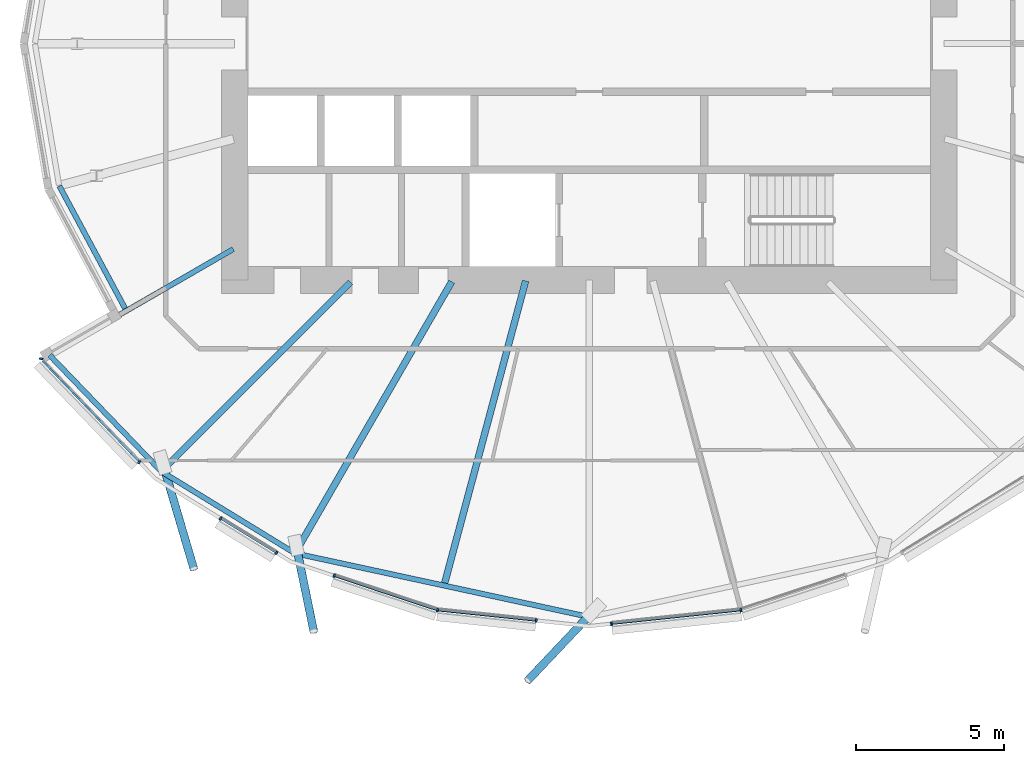
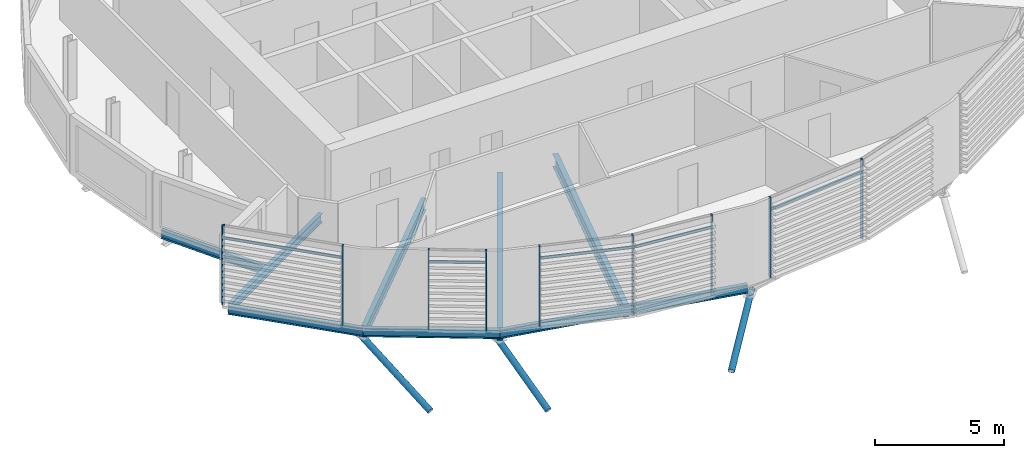
# One storey, part 3 of 36: 17 members, 8 beams, 1 element without a shape of its own.
"""IFC4 building model written with IfcOpenShell, lengths in metres."""

from ifc_helpers import new_model, si_unit, direction, frame, origin, origin_2d, place, context, subcontext, project, spatial, rectangle, hollow_circle, i_section, extrude, clip, halfspace, material, material_profile, profile_set, type_object, element, aggregate, save


model = new_model("IFC4")

# Units and contexts
model_context = context("Model", 3, precision=1e-05, world=origin(), true_north=direction((0.0, 1.0)))
body_context = subcontext(model_context, "Body", "Model", "MODEL_VIEW")
ifc_project = project(units=[si_unit("LENGTHUNIT", "METRE"), si_unit("AREAUNIT", "SQUARE_METRE"), si_unit("VOLUMEUNIT", "CUBIC_METRE"), si_unit("PLANEANGLEUNIT", "RADIAN"), si_unit("MASSUNIT", "GRAM", prefix="KILO")], contexts=[model_context])

# Site, building, storey
site_placement = place(None, origin())
site = spatial("IfcSite", under=ifc_project, at=site_placement, CompositionType="ELEMENT")
building_placement = place(site_placement, origin())
building = spatial("IfcBuilding", under=site, at=building_placement, Name="Rimbun Link Towers", CompositionType="ELEMENT")
storey_placement = place(building_placement, frame((0.0, 0.0, 37.60009765625)))
storey = spatial("IfcBuildingStorey", under=building, at=storey_placement, Name="L08", CompositionType="ELEMENT", Elevation=37.60009765625)

# Curtain wall, members
ifc_material_1 = material(Name="Aluminium 6063-T6 and low-iron glass", Category="aluminium")
curtain_wall_type = type_object("IfcCurtainWallType", Name="CW1 unitised vision wall", PredefinedType="NOTDEFINED", material=ifc_material_1)
curtain_wall_placement = place(storey_placement, origin())
curtain_wall = element("IfcCurtainWall", 1, at=curtain_wall_placement, inside=storey, type_object=curtain_wall_type, Name="CW1 L08 T1", PredefinedType="NOTDEFINED")
ifc_material_2 = material(Name="Aluminium 6063-T6", Category="aluminium")
ifc_material_profile_1 = material_profile(ifc_material_2, rectangle(XDim=0.1201171875, YDim=0.06005859375, at=origin_2d()), Name="MULLION 60X120")
ifc_profile_set_1 = profile_set([ifc_material_profile_1], Name="Aluminium 6063-T6")
member_type_1 = type_object("IfcMemberType", Name="CW1 mullion 60X120", PredefinedType="MULLION", material=ifc_profile_set_1)
member_1_placement = place(storey_placement, frame((-46.97314453125, -14.160888671875, 0.0), z_axis=(0.0, 0.0, 1.0), x_axis=(-0.721844292424, -0.692055501744, 0.0)))
member_1 = element("IfcMember", 2, at=member_1_placement, type_object=member_type_1, Name="CW1 mullion", PredefinedType="MULLION", context=body_context, shape_type="SweptSolid", body=[
    extrude(rectangle(XDim=0.1201171875, YDim=0.06005859375, at=origin_2d()), origin(), (0.0, 0.0, 1.0), 3.7998046875),
])
member_2_placement = place(storey_placement, frame((-50.294189453125, -10.663818359375, 0.0), z_axis=(0.0, 0.0, 1.0), x_axis=(-0.990014819321, 0.140963319788, 0.0)))
member_2 = element("IfcMember", 3, at=member_2_placement, type_object=member_type_1, Name="CW1 mullion", PredefinedType="MULLION", context=body_context, shape_type="SweptSolid", body=[
    extrude(rectangle(XDim=0.1201171875, YDim=0.06005859375, at=origin_2d()), origin(), (0.0, 0.0, 1.0), 3.7998046875),
])
member_3_placement = place(storey_placement, frame((-42.336181640625, -17.23291015625, 0.0), z_axis=(0.0, 0.0, 1.0), x_axis=(-0.523232417417, -0.85219002421, 0.0)))
member_3 = element("IfcMember", 4, at=member_3_placement, type_object=member_type_1, Name="CW1 mullion", PredefinedType="MULLION", context=body_context, shape_type="SweptSolid", body=[
    extrude(rectangle(XDim=0.1201171875, YDim=0.06005859375, at=origin_2d()), origin(), (0.0, 0.0, 1.0), 3.7998046875),
])
member_4_placement = place(storey_placement, frame((-44.2265625, -16.072265625, 0.0), z_axis=(0.0, 0.0, 1.0), x_axis=(-0.523232417417, -0.85219002421, 0.0)))
member_4 = element("IfcMember", 5, at=member_4_placement, type_object=member_type_1, Name="CW1 mullion", PredefinedType="MULLION", context=body_context, shape_type="SweptSolid", body=[
    extrude(rectangle(XDim=0.1201171875, YDim=0.06005859375, at=origin_2d()), origin(), (0.0, 0.0, 1.0), 3.7998046875),
])
member_5_placement = place(storey_placement, frame((-36.884521484375, -19.17333984375, 0.0), z_axis=(0.0, 0.0, 1.0), x_axis=(-0.210876994137, -0.97751260521, 0.0)))
member_5 = element("IfcMember", 6, at=member_5_placement, type_object=member_type_1, Name="CW1 mullion", PredefinedType="MULLION", context=body_context, shape_type="SweptSolid", body=[
    extrude(rectangle(XDim=0.1201171875, YDim=0.06005859375, at=origin_2d()), origin(), (0.0, 0.0, 1.0), 3.7998046875),
])
member_6_placement = place(storey_placement, frame((-40.383544921875, -18.01416015625, 0.0), z_axis=(0.0, 0.0, 1.0), x_axis=(-0.314563730837, -0.949236355837, 0.0)))
member_6 = element("IfcMember", 7, at=member_6_placement, type_object=member_type_1, Name="CW1 mullion", PredefinedType="MULLION", context=body_context, shape_type="SweptSolid", body=[
    extrude(rectangle(XDim=0.1201171875, YDim=0.06005859375, at=origin_2d()), origin(), (0.0, 0.0, 1.0), 3.7998046875),
])
member_7_placement = place(storey_placement, frame((-33.54638671875, -19.525390625, 0.0), z_axis=(0.0, 0.0, 1.0), x_axis=(-0.104754525743, -0.994498109267, 0.0)))
member_7 = element("IfcMember", 8, at=member_7_placement, type_object=member_type_1, Name="CW1 mullion", PredefinedType="MULLION", context=body_context, shape_type="SweptSolid", body=[
    extrude(rectangle(XDim=0.1201171875, YDim=0.06005859375, at=origin_2d()), origin(), (0.0, 0.0, 1.0), 3.7998046875),
])
member_8_placement = place(storey_placement, frame((-26.615478515625, -19.17333984375, 0.0), z_axis=(0.0, 0.0, 1.0), x_axis=(0.210876994137, -0.97751260521, 0.0)))
member_8 = element("IfcMember", 9, at=member_8_placement, type_object=member_type_1, Name="CW1 mullion", PredefinedType="MULLION", context=body_context, shape_type="SweptSolid", body=[
    extrude(rectangle(XDim=0.1201171875, YDim=0.06005859375, at=origin_2d()), origin(), (0.0, 0.0, 1.0), 3.7998046875),
])
member_9_placement = place(storey_placement, frame((-30.997802734375, -19.63525390625, 0.0), z_axis=(0.0, 0.0, 1.0), x_axis=(0.104754525743, -0.994498109267, 0.0)))
member_9 = element("IfcMember", 10, at=member_9_placement, type_object=member_type_1, Name="CW1 mullion", PredefinedType="MULLION", context=body_context, shape_type="SweptSolid", body=[
    extrude(rectangle(XDim=0.1201171875, YDim=0.06005859375, at=origin_2d()), origin(), (0.0, 0.0, 1.0), 3.7998046875),
])
ifc_material_3 = material(Name="Aluminium 6063-T6", Category="aluminium")
ifc_material_profile_2 = material_profile(ifc_material_3, rectangle(XDim=0.06005859375, YDim=0.1201171875, at=origin_2d()), Name="TRANSOM 60X120")
ifc_profile_set_2 = profile_set([ifc_material_profile_2], Name="Aluminium 6063-T6")
member_type_2 = type_object("IfcMemberType", Name="CW1 transom 60X120", PredefinedType="USERDEFINED", material=ifc_profile_set_2)
member_10_placement = place(storey_placement, frame((-46.992431640625, -14.137939453125, 3.199951171875), z_axis=(-0.692039162609, 0.721859956928, 0.0), x_axis=(-0.721859956928, -0.692039162609, 0.0)))
member_10 = element("IfcMember", 11, at=member_10_placement, type_object=member_type_2, Name="CW1 transom", ObjectType="TRANSOM", PredefinedType="USERDEFINED", context=body_context, shape_type="SweptSolid", body=[
    extrude(rectangle(XDim=0.06005859375, YDim=0.1201171875, at=origin_2d()), origin(), (0.0, 0.0, 1.0), 4.715576171875),
])
member_11_placement = place(storey_placement, frame((-42.360595703125, -17.215576171875, 3.199951171875), z_axis=(-0.852228740187, 0.523169355371, 0.0), x_axis=(-0.523169355371, -0.852228740187, 0.0)))
member_11 = element("IfcMember", 12, at=member_11_placement, type_object=member_type_2, Name="CW1 transom", ObjectType="TRANSOM", PredefinedType="USERDEFINED", context=body_context, shape_type="SweptSolid", body=[
    extrude(rectangle(XDim=0.06005859375, YDim=0.1201171875, at=origin_2d()), origin(), (0.0, 0.0, 1.0), 2.158203125),
])
member_12_placement = place(storey_placement, frame((-36.91845703125, -19.160400390625, 3.199951171875), z_axis=(-0.949234904312, 0.314568110964, 0.0), x_axis=(-0.314568110964, -0.949234904312, 0.0)))
member_12 = element("IfcMember", 13, at=member_12_placement, type_object=member_type_2, Name="CW1 transom", ObjectType="TRANSOM", PredefinedType="USERDEFINED", context=body_context, shape_type="SweptSolid", body=[
    extrude(rectangle(XDim=0.06005859375, YDim=0.1201171875, at=origin_2d()), origin(), (0.0, 0.0, 1.0), 3.619873046875),
])
member_13_placement = place(storey_placement, frame((-33.575927734375, -19.520263671875, 3.199951171875), z_axis=(-0.994496504688, 0.104769757862, 0.0), x_axis=(-0.104769757862, -0.994496504688, 0.0)))
member_13 = element("IfcMember", 14, at=member_13_placement, type_object=member_type_2, Name="CW1 transom", ObjectType="TRANSOM", PredefinedType="USERDEFINED", context=body_context, shape_type="SweptSolid", body=[
    extrude(rectangle(XDim=0.06005859375, YDim=0.1201171875, at=origin_2d()), origin(), (0.0, 0.0, 1.0), 3.290283203125),
])
member_14_placement = place(storey_placement, frame((-26.65185546875, -19.175537109375, 3.199951171875), z_axis=(-0.99449990358, -0.104737489845, 0.0), x_axis=(0.104737489845, -0.99449990358, 0.0)))
member_14 = element("IfcMember", 15, at=member_14_placement, type_object=member_type_2, Name="CW1 transom", ObjectType="TRANSOM", PredefinedType="USERDEFINED", context=body_context, shape_type="SweptSolid", body=[
    extrude(rectangle(XDim=0.06005859375, YDim=0.1201171875, at=origin_2d()), origin(), (0.0, 0.0, 1.0), 4.34033203125),
])
aggregate(curtain_wall, [member_1, member_2, member_3, member_4, member_5, member_6, member_7, member_8, member_9, member_10, member_11, member_12, member_13, member_14])

# Members
ifc_material_4 = material(Name="Steel S355J2H", Category="steel")
ifc_material_profile_3 = material_profile(ifc_material_4, hollow_circle(Radius=0.136474609375, WallThickness=0.012451171875, at=origin_2d()), Name="CHS 273x12.5")
ifc_profile_set_3 = profile_set([ifc_material_profile_3], Name="Steel S355J2H")
member_type_3 = type_object("IfcMemberType", Name="Floor edge link CHS 273x12.5", PredefinedType="BRACE", material=ifc_profile_set_3)
member_15_placement = place(storey_placement, frame((-46.129638671875, -14.379638671875, -0.816650390625), z_axis=(0.254649424208, -0.864095487699, -0.434157412569), x_axis=(0.959214004436, 0.282680904366, 0.0)))
element("IfcMember", 16, at=member_15_placement, inside=storey, type_object=member_type_3, Name="Floor edge link T1 L08 15", PredefinedType="BRACE", context=body_context, shape_type="Clipping", body=[
    clip(extrude(hollow_circle(Radius=0.136474609375, WallThickness=0.012451171875, at=origin_2d()), frame((0.0, 0.0, -0.589599609375)), (0.0, 0.0, 1.0), 4.524169921875), halfspace(frame((0.0, 0.0, -0.27978515625), z_axis=(0.0, 0.900837022503, -0.434157412569)), False)),
])
member_16_placement = place(storey_placement, frame((-41.638427734375, -17.127197265625, -0.87890625), z_axis=(0.171200978339, -0.833290807405, -0.525658306612), x_axis=(0.979540285831, 0.201248176226, 0.0)))
element("IfcMember", 17, at=member_16_placement, inside=storey, type_object=member_type_3, Name="Floor edge link T1 L08 16", PredefinedType="BRACE", context=body_context, shape_type="Clipping", body=[
    clip(extrude(hollow_circle(Radius=0.136474609375, WallThickness=0.012451171875, at=origin_2d()), frame((0.0, 0.0, -0.460693359375)), (0.0, 0.0, 1.0), 3.781982421875), halfspace(frame((0.0, 0.0, -0.21728515625), z_axis=(0.0, 0.850695800325, -0.525658306612)), False)),
])
member_17_placement = place(storey_placement, frame((-31.75, -19.352783203125, -0.886962890625), z_axis=(-0.624151442625, -0.660240096298, -0.41775350616), x_axis=(0.726688168714, -0.686967470446, 0.0)))
element("IfcMember", 18, at=member_17_placement, inside=storey, type_object=member_type_3, Name="Floor edge link T1 L08 18", PredefinedType="BRACE", context=body_context, shape_type="Clipping", body=[
    clip(extrude(hollow_circle(Radius=0.136474609375, WallThickness=0.012451171875, at=origin_2d()), frame((0.0, 0.0, -0.61767578125)), (0.0, 0.0, 1.0), 3.96630859375), halfspace(frame((0.0, 0.0, -0.292724609375), z_axis=(0.0, 0.908560404206, -0.41775350616)), False)),
])

# Beams
ifc_material_5 = material(Name="Steel S355J2", Category="steel")
ifc_material_profile_4 = material_profile(ifc_material_5, i_section(OverallWidth=0.177978515625, OverallDepth=0.406494140625, WebThickness=0.0078125, FlangeThickness=0.0126953125, at=origin_2d()), Name="UB 406x178x60")
ifc_profile_set_4 = profile_set([ifc_material_profile_4], Name="Steel S355J2")
beam_type_1 = type_object("IfcBeamType", Name="UB 406x178x60", PredefinedType="BEAM", material=ifc_profile_set_4)
beam_1_placement = place(storey_placement, frame((-43.79541015625, -6.954345703125, -0.36328125), z_axis=(-0.866012298914, -0.500022697614, 0.0), x_axis=(0.500022697614, -0.866012298914, 0.0)))
element("IfcBeam", 19, at=beam_1_placement, inside=storey, type_object=beam_type_1, Name="Radial beam T1 L08 14", PredefinedType="BEAM", context=body_context, shape_type="SweptSolid", body=[
    extrude(i_section(OverallWidth=0.177978515625, OverallDepth=0.406494140625, WebThickness=0.0078125, FlangeThickness=0.0126953125, at=origin_2d()), origin(), (0.0, 0.0, 1.0), 7.085693359375),
])
beam_2_placement = place(storey_placement, frame((-49.6806640625, -4.820068359375, -0.36328125), z_axis=(0.473157991419, -0.88097759061, 0.0), x_axis=(0.88097759061, 0.473157991419, 0.0)))
element("IfcBeam", 20, at=beam_2_placement, inside=storey, type_object=beam_type_1, Name="Edge beam T1 L08 13 recess", PredefinedType="BEAM", context=body_context, shape_type="SweptSolid", body=[
    extrude(i_section(OverallWidth=0.177978515625, OverallDepth=0.406494140625, WebThickness=0.0078125, FlangeThickness=0.0126953125, at=origin_2d()), origin(), (0.0, 0.0, 1.0), 4.70068359375),
])
beam_3_placement = place(storey_placement, frame((-50.01123046875, -10.544189453125, -0.36328125), z_axis=(0.692980582053, -0.720956248948, 0.0), x_axis=(0.720956248948, 0.692980582053, 0.0)))
element("IfcBeam", 21, at=beam_3_placement, inside=storey, type_object=beam_type_1, Name="Edge beam T1 L08 14", PredefinedType="BEAM", context=body_context, shape_type="SweptSolid", body=[
    extrude(i_section(OverallWidth=0.177978515625, OverallDepth=0.406494140625, WebThickness=0.0078125, FlangeThickness=0.0126953125, at=origin_2d()), origin(), (0.0, 0.0, 1.0), 5.445556640625),
])
beam_4_placement = place(storey_placement, frame((-46.218505859375, -14.485595703125, -0.36328125), z_axis=(0.852710715243, -0.522383418678, 0.0), x_axis=(0.522383418678, 0.852710715243, 0.0)))
element("IfcBeam", 22, at=beam_4_placement, inside=storey, type_object=beam_type_1, Name="Edge beam T1 L08 15", PredefinedType="BEAM", context=body_context, shape_type="SweptSolid", body=[
    extrude(i_section(OverallWidth=0.177978515625, OverallDepth=0.406494140625, WebThickness=0.0078125, FlangeThickness=0.0126953125, at=origin_2d()), origin(), (0.0, 0.0, 1.0), 5.2880859375),
])
beam_5_placement = place(storey_placement, frame((-41.70751953125, -17.248779296875, -0.36328125), z_axis=(0.977393994872, -0.211426059859, 0.0), x_axis=(0.211426059859, 0.977393994872, 0.0)))
element("IfcBeam", 23, at=beam_5_placement, inside=storey, type_object=beam_type_1, Name="Edge beam T1 L08 16-18", PredefinedType="BEAM", context=body_context, shape_type="SweptSolid", body=[
    extrude(i_section(OverallWidth=0.177978515625, OverallDepth=0.406494140625, WebThickness=0.0078125, FlangeThickness=0.0126953125, at=origin_2d()), origin(), (0.0, 0.0, 1.0), 10.0703125),
])
ifc_material_6 = material(Name="Steel S355J2", Category="steel")
ifc_material_profile_5 = material_profile(ifc_material_6, i_section(OverallWidth=0.209228515625, OverallDepth=0.533203125, WebThickness=0.010009765625, FlangeThickness=0.015625, at=origin_2d()), Name="UB 533x210x92")
ifc_profile_set_5 = profile_set([ifc_material_profile_5], Name="Steel S355J2")
beam_type_2 = type_object("IfcBeamType", Name="UB 533x210x92", PredefinedType="BEAM", material=ifc_profile_set_5)
beam_6_placement = place(storey_placement, frame((-39.82470703125, -8.07470703125, -0.426513671875), z_axis=(-0.707106781187, -0.707106781187, 0.0), x_axis=(0.707106781187, -0.707106781187, 0.0)))
element("IfcBeam", 24, at=beam_6_placement, inside=storey, type_object=beam_type_2, Name="Radial beam T1 L08 15", PredefinedType="BEAM", context=body_context, shape_type="SweptSolid", body=[
    extrude(i_section(OverallWidth=0.209228515625, OverallDepth=0.533203125, WebThickness=0.010009765625, FlangeThickness=0.015625, at=origin_2d()), origin(), (0.0, 0.0, 1.0), 8.966552734375),
])
ifc_material_7 = material(Name="Steel S355J2", Category="steel")
ifc_material_profile_6 = material_profile(ifc_material_7, i_section(OverallWidth=0.2275390625, OverallDepth=0.6025390625, WebThickness=0.010498046875, FlangeThickness=0.014892578125, at=origin_2d()), Name="UB 610x229x101")
ifc_profile_set_6 = profile_set([ifc_material_profile_6], Name="Steel S355J2")
beam_type_3 = type_object("IfcBeamType", Name="UB 610x229x101", PredefinedType="BEAM", material=ifc_profile_set_6)
beam_7_placement = place(storey_placement, frame((-36.402099609375, -8.057861328125, -0.46142578125), z_axis=(-0.500014335853, -0.866017126818, 0.0), x_axis=(0.866017126818, -0.500014335853, 0.0)))
element("IfcBeam", 25, at=beam_7_placement, inside=storey, type_object=beam_type_3, Name="Radial beam T1 L08 16", PredefinedType="BEAM", context=body_context, shape_type="SweptSolid", body=[
    extrude(i_section(OverallWidth=0.2275390625, OverallDepth=0.6025390625, WebThickness=0.010498046875, FlangeThickness=0.014892578125, at=origin_2d()), origin(), (0.0, 0.0, 1.0), 10.522705078125),
])
beam_8_placement = place(storey_placement, frame((-33.901611328125, -8.030517578125, -0.46142578125), z_axis=(-0.258839865624, -0.965920247207, 0.0), x_axis=(0.965920247207, -0.258839865624, 0.0)))
element("IfcBeam", 26, at=beam_8_placement, inside=storey, type_object=beam_type_3, Name="Radial beam T1 L08 17", PredefinedType="BEAM", context=body_context, shape_type="SweptSolid", body=[
    extrude(i_section(OverallWidth=0.2275390625, OverallDepth=0.6025390625, WebThickness=0.010498046875, FlangeThickness=0.014892578125, at=origin_2d()), origin(), (0.0, 0.0, 1.0), 10.582763671875),
])

save(model, "model.ifc")
